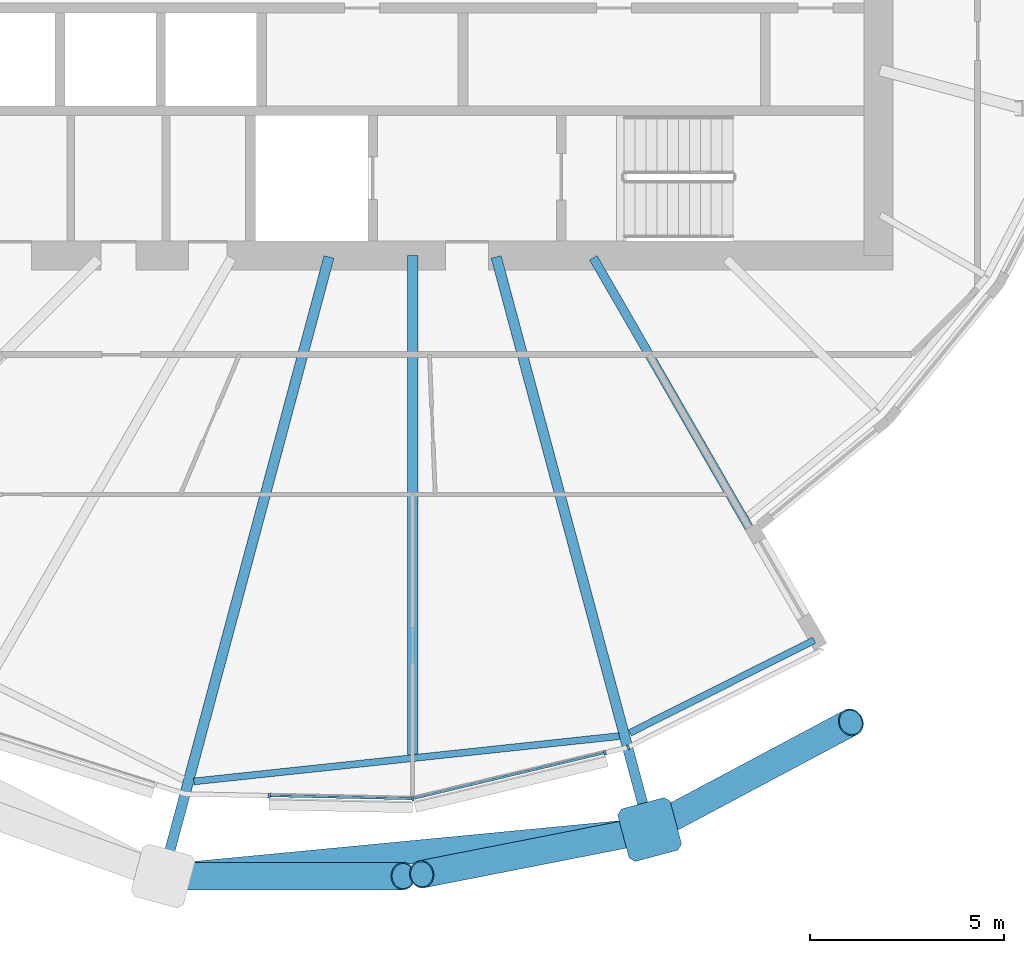
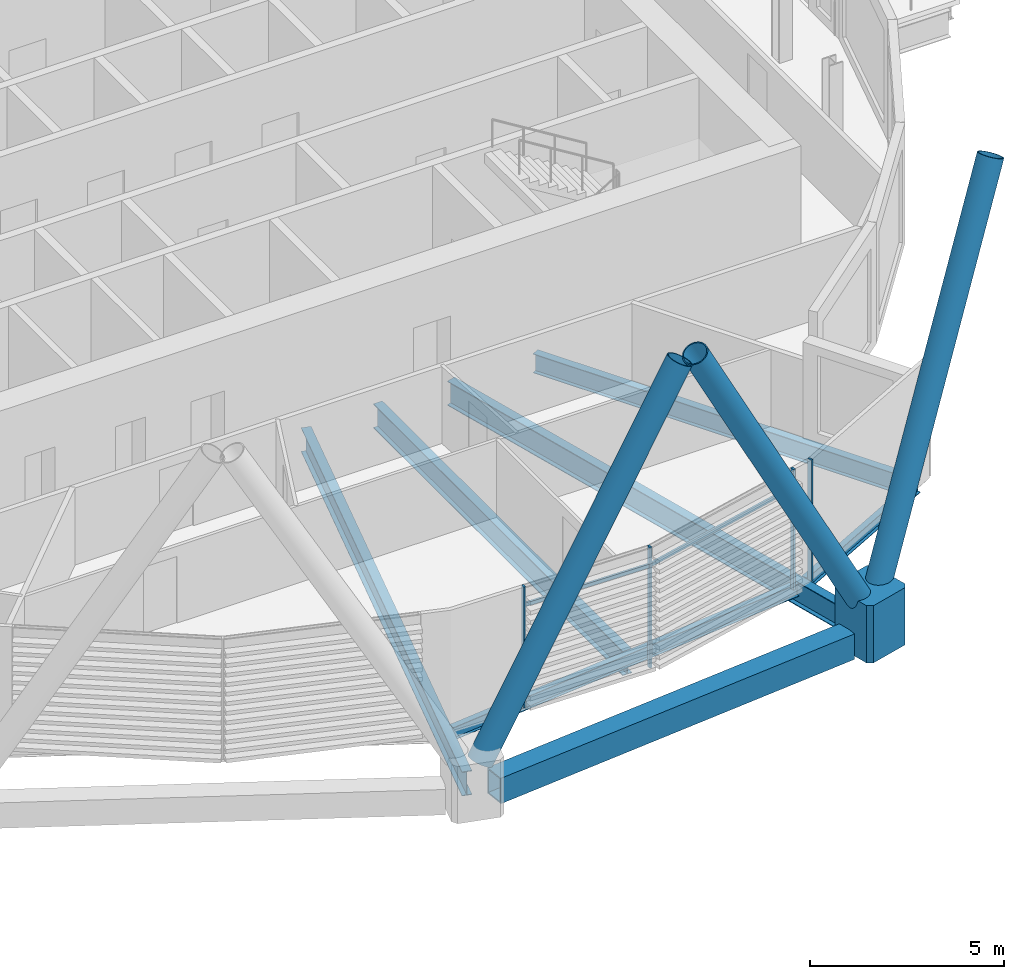
# One storey, part 15 of 38: 10 members, 7 beams, 1 element without a shape of its own.
"""IFC4 building model written with IfcOpenShell, lengths in metres."""

from ifc_helpers import new_model, si_unit, direction, frame, origin, origin_2d, place, context, subcontext, project, spatial, polyline, rectangle, hollow_rectangle, hollow_circle, i_section, outline, extrude, material, material_profile, profile_set, type_object, element, aggregate, save


model = new_model("IFC4")

# Units and contexts
model_context = context("Model", 3, precision=1e-05, world=origin(), true_north=direction((0.0, 1.0)))
body_context = subcontext(model_context, "Body", "Model", "MODEL_VIEW")
ifc_project = project(units=[si_unit("LENGTHUNIT", "METRE"), si_unit("AREAUNIT", "SQUARE_METRE"), si_unit("VOLUMEUNIT", "CUBIC_METRE"), si_unit("PLANEANGLEUNIT", "RADIAN"), si_unit("MASSUNIT", "GRAM", prefix="KILO")], contexts=[model_context])

# Site, building, storey
site_placement = place(None, origin())
site = spatial("IfcSite", under=ifc_project, at=site_placement, CompositionType="ELEMENT")
building_placement = place(site_placement, origin())
building = spatial("IfcBuilding", under=site, at=building_placement, Name="Rimbun Link Towers", CompositionType="ELEMENT")
storey_placement = place(building_placement, frame((0.0, 0.0, 104.39990234375)))
storey = spatial("IfcBuildingStorey", under=building, at=storey_placement, Name="L25", CompositionType="ELEMENT", Elevation=104.39990234375)

# Curtain wall, members
ifc_material_1 = material(Name="Aluminium 6063-T6 and low-iron glass", Category="aluminium")
curtain_wall_type = type_object("IfcCurtainWallType", Name="CW1-Z2 unitised vision wall (zone 2)", PredefinedType="NOTDEFINED", material=ifc_material_1)
curtain_wall_placement = place(storey_placement, origin())
curtain_wall = element("IfcCurtainWall", 1, at=curtain_wall_placement, inside=storey, type_object=curtain_wall_type, Name="CW1 L25 T2", PredefinedType="NOTDEFINED")
ifc_material_2 = material(Name="Aluminium 6063-T6", Category="aluminium")
ifc_material_profile_1 = material_profile(ifc_material_2, rectangle(XDim=0.1201171875, YDim=0.06005859375, at=origin_2d()), Name="MULLION 60X120")
ifc_profile_set_1 = profile_set([ifc_material_profile_1], Name="Aluminium 6063-T6")
member_type_1 = type_object("IfcMemberType", Name="CW1 mullion 60X120", PredefinedType="MULLION", material=ifc_profile_set_1)
member_1_placement = place(storey_placement, frame((31.75634765625, -21.9892578125, 0.0), z_axis=(0.0, 0.0, 1.0), x_axis=(0.106632106355, -0.994298543645, 0.0)))
member_1 = element("IfcMember", 2, at=member_1_placement, type_object=member_type_1, Name="CW1 mullion", PredefinedType="MULLION", context=body_context, shape_type="SweptSolid", body=[
    extrude(rectangle(XDim=0.1201171875, YDim=0.06005859375, at=origin_2d()), origin(), (0.0, 0.0, 1.0), 3.800048828125),
])
member_2_placement = place(storey_placement, frame((28.05517578125, -21.911865234375, 0.0), z_axis=(0.0, 0.0, 1.0), x_axis=(-0.021063270517, -0.999778144708, 0.0)))
member_2 = element("IfcMember", 3, at=member_2_placement, type_object=member_type_1, Name="CW1 mullion", PredefinedType="MULLION", context=body_context, shape_type="SweptSolid", body=[
    extrude(rectangle(XDim=0.1201171875, YDim=0.06005859375, at=origin_2d()), origin(), (0.0, 0.0, 1.0), 3.800048828125),
])
member_3_placement = place(storey_placement, frame((36.70263671875, -20.806884765625, 0.0), z_axis=(0.0, 0.0, 1.0), x_axis=(0.232585526726, -0.972575947038, 0.0)))
member_3 = element("IfcMember", 4, at=member_3_placement, type_object=member_type_1, Name="CW1 mullion", PredefinedType="MULLION", context=body_context, shape_type="SweptSolid", body=[
    extrude(rectangle(XDim=0.1201171875, YDim=0.06005859375, at=origin_2d()), origin(), (0.0, 0.0, 1.0), 3.800048828125),
])
member_4_placement = place(storey_placement, frame((37.299072265625, -20.66259765625, 0.0), z_axis=(0.0, 0.0, 1.0), x_axis=(0.448789312905, -0.893637595797, 0.0)))
member_4 = element("IfcMember", 5, at=member_4_placement, type_object=member_type_1, Name="CW1 mullion", PredefinedType="MULLION", context=body_context, shape_type="SweptSolid", body=[
    extrude(rectangle(XDim=0.1201171875, YDim=0.06005859375, at=origin_2d()), origin(), (0.0, 0.0, 1.0), 3.800048828125),
])
ifc_material_3 = material(Name="Aluminium 6063-T6", Category="aluminium")
ifc_material_profile_2 = material_profile(ifc_material_3, rectangle(XDim=0.06005859375, YDim=0.1201171875, at=origin_2d()), Name="TRANSOM 60X120")
ifc_profile_set_2 = profile_set([ifc_material_profile_2], Name="Aluminium 6063-T6")
member_type_2 = type_object("IfcMemberType", Name="CW1 transom 60X120", PredefinedType="USERDEFINED", material=ifc_profile_set_2)
member_5_placement = place(storey_placement, frame((31.71875, -21.987060546875, 3.2001953125), z_axis=(-0.999777513645, 0.021093202935, 0.0), x_axis=(-0.021093202935, -0.999777513645, 0.0)))
member_5 = element("IfcMember", 6, at=member_5_placement, type_object=member_type_2, Name="CW1 transom", ObjectType="TRANSOM", PredefinedType="USERDEFINED", context=body_context, shape_type="SweptSolid", body=[
    extrude(rectangle(XDim=0.06005859375, YDim=0.1201171875, at=origin_2d()), origin(), (0.0, 0.0, 1.0), 3.63427734375),
])
member_6_placement = place(storey_placement, frame((36.6728515625, -20.81201171875, 3.2001953125), z_axis=(-0.972578652399, -0.232574213741, 0.0), x_axis=(0.232574213741, -0.972578652399, 0.0)))
member_6 = element("IfcMember", 7, at=member_6_placement, type_object=member_type_2, Name="CW1 transom", ObjectType="TRANSOM", PredefinedType="USERDEFINED", context=body_context, shape_type="SweptSolid", body=[
    extrude(rectangle(XDim=0.06005859375, YDim=0.1201171875, at=origin_2d()), origin(), (0.0, 0.0, 1.0), 5.017822265625),
])
aggregate(curtain_wall, [member_1, member_2, member_3, member_4, member_5, member_6])

# Members
ifc_material_4 = material(Name="Steel S460NH", Category="steel")
ifc_material_profile_3 = material_profile(ifc_material_4, hollow_circle(Radius=0.355712890625, WallThickness=0.031982421875, at=origin_2d()), Name="Diagrid diagonal CHS 711x32")
ifc_profile_set_3 = profile_set([ifc_material_profile_3], Name="Steel S460NH")
member_type_3 = type_object("IfcMemberType", Name="Diagrid diagonal CHS 711x32", PredefinedType="BRACE", material=ifc_profile_set_3)
member_7_placement = place(storey_placement, frame((25.570068359375, -23.97998046875, 0.435791015625), z_axis=(0.491007209953, -2.0200239e-05, 0.871155508142), x_axis=(4.1140412e-05, 0.999999999154, 0.0)))
element("IfcMember", 8, at=member_7_placement, inside=storey, type_object=member_type_3, Name="Diagrid diagonal T2 L25-L28 14b", PredefinedType="BRACE", context=body_context, shape_type="SweptSolid", body=[
    extrude(hollow_circle(Radius=0.355712890625, WallThickness=0.031982421875, at=origin_2d()), origin(), (0.0, 0.0, 1.0), 12.0859375),
])
member_8_placement = place(storey_placement, frame((37.619384765625, -22.828369140625, 0.43896484375), z_axis=(-0.470037941025, -0.092243774803, 0.87781286161), x_axis=(0.192574227905, -0.981282409272, 0.0)))
element("IfcMember", 9, at=member_8_placement, inside=storey, type_object=member_type_3, Name="Diagrid diagonal T2 L25-L28 16a", PredefinedType="BRACE", context=body_context, shape_type="SweptSolid", body=[
    extrude(hollow_circle(Radius=0.355712890625, WallThickness=0.031982421875, at=origin_2d()), origin(), (0.0, 0.0, 1.0), 11.98681640625),
])
member_9_placement = place(storey_placement, frame((38.06298828125, -22.67138671875, 0.44091796875), z_axis=(0.416807853406, 0.222080658162, 0.881448463955), x_axis=(-0.470230700253, 0.88254353351, 0.0)))
element("IfcMember", 10, at=member_9_placement, inside=storey, type_object=member_type_3, Name="Diagrid diagonal T2 L25-L28 16b", PredefinedType="BRACE", context=body_context, shape_type="SweptSolid", body=[
    extrude(hollow_circle(Radius=0.355712890625, WallThickness=0.031982421875, at=origin_2d()), origin(), (0.0, 0.0, 1.0), 11.933349609375),
])
ifc_material_5 = material(Name="Cast steel G20Mn5+QT, Rp0.2 300 MPa", Category="steel")
ifc_material_profile_4 = material_profile(ifc_material_5, outline(polyline([(0.699951171875, -0.570068359375), (0.699951171875, 0.570068359375), (0.570068359375, 0.699951171875), (-0.570068359375, 0.699951171875), (-0.699951171875, 0.570068359375), (-0.699951171875, -0.570068359375), (-0.570068359375, -0.699951171875), (0.570068359375, -0.699951171875), (0.699951171875, -0.570068359375)])), Name="NODE 1400x1400")
ifc_profile_set_4 = profile_set([ifc_material_profile_4], Name="Cast steel G20Mn5+QT, Rp0.2 300 MPa")
member_type_4 = type_object("IfcMemberType", Name="Diagrid node cast 1400", PredefinedType="USERDEFINED", material=ifc_profile_set_4)
member_10_placement = place(storey_placement, frame((37.8544921875, -22.7822265625, -0.89990234375), z_axis=(0.0, 0.0, 1.0), x_axis=(0.258819045103, -0.965925826289, 0.0)))
element("IfcMember", 11, at=member_10_placement, inside=storey, type_object=member_type_4, Name="Diagrid node L25 16", ObjectType="Diagrid node", PredefinedType="USERDEFINED", context=body_context, shape_type="SweptSolid", body=[
    extrude(outline(polyline([(0.699951171875, -0.570068359375), (0.699951171875, 0.570068359375), (0.570068359375, 0.699951171875), (-0.570068359375, 0.699951171875), (-0.699951171875, 0.570068359375), (-0.699951171875, -0.570068359375), (-0.570068359375, -0.699951171875), (0.570068359375, -0.699951171875), (0.699951171875, -0.570068359375)])), origin(), (0.0, 0.0, 1.0), 1.800048828125),
])

# Beams
ifc_material_6 = material(Name="Steel S355J2", Category="steel")
ifc_material_profile_5 = material_profile(ifc_material_6, hollow_rectangle(XDim=0.60009765625, YDim=0.800048828125, WallThickness=0.0400390625, at=origin_2d()), Name="Exoskeleton ring girder BOX 600x800x40")
ifc_profile_set_5 = profile_set([ifc_material_profile_5], Name="Steel S355J2")
beam_type_1 = type_object("IfcBeamType", Name="Exoskeleton ring girder BOX 600x800x40", PredefinedType="BEAM", material=ifc_profile_set_5)
beam_1_placement = place(storey_placement, frame((26.021484375, -23.913330078125, -0.559814453125), z_axis=(0.995462850083, 0.095151006848, 0.0), x_axis=(-0.095151006848, 0.995462850083, 0.0)))
element("IfcBeam", 12, at=beam_1_placement, inside=storey, type_object=beam_type_1, Name="Exoskeleton ring girder L25 07", PredefinedType="BEAM", context=body_context, shape_type="SweptSolid", body=[
    extrude(hollow_rectangle(XDim=0.60009765625, YDim=0.800048828125, WallThickness=0.0400390625, at=origin_2d()), origin(), (0.0, 0.0, 1.0), 11.18701171875),
])
ifc_material_7 = material(Name="Steel S355J2", Category="steel")
ifc_material_profile_6 = material_profile(ifc_material_7, i_section(OverallWidth=0.177978515625, OverallDepth=0.406494140625, WebThickness=0.0078125, FlangeThickness=0.0126953125, at=origin_2d()), Name="UB 406x178x60")
ifc_profile_set_6 = profile_set([ifc_material_profile_6], Name="Steel S355J2")
beam_type_2 = type_object("IfcBeamType", Name="UB 406x178x60", PredefinedType="BEAM", material=ifc_profile_set_6)
beam_2_placement = place(storey_placement, frame((26.11669921875, -21.54248046875, -0.363037109375), z_axis=(0.994384696167, 0.105825686997, 0.0), x_axis=(-0.105825686997, 0.994384696167, 0.0)))
element("IfcBeam", 13, at=beam_2_placement, inside=storey, type_object=beam_type_2, Name="Edge beam T2 L25 14-16", PredefinedType="BEAM", context=body_context, shape_type="SweptSolid", body=[
    extrude(i_section(OverallWidth=0.177978515625, OverallDepth=0.406494140625, WebThickness=0.0078125, FlangeThickness=0.0126953125, at=origin_2d()), origin(), (0.0, 0.0, 1.0), 11.015869140625),
])
beam_3_placement = place(storey_placement, frame((37.34521484375, -20.29248046875, -0.363037109375), z_axis=(0.893413109003, 0.44923603669, 0.0), x_axis=(-0.44923603669, 0.893413109003, 0.0)))
element("IfcBeam", 14, at=beam_3_placement, inside=storey, type_object=beam_type_2, Name="Edge beam T2 L25 16", PredefinedType="BEAM", context=body_context, shape_type="SweptSolid", body=[
    extrude(i_section(OverallWidth=0.177978515625, OverallDepth=0.406494140625, WebThickness=0.0078125, FlangeThickness=0.0126953125, at=origin_2d()), origin(), (0.0, 0.0, 1.0), 5.30859375),
])
ifc_material_8 = material(Name="Steel S355J2", Category="steel")
ifc_material_profile_7 = material_profile(ifc_material_8, i_section(OverallWidth=0.2275390625, OverallDepth=0.6025390625, WebThickness=0.010498046875, FlangeThickness=0.014892578125, at=origin_2d()), Name="UB 610x229x101")
ifc_profile_set_7 = profile_set([ifc_material_profile_7], Name="Steel S355J2")
beam_type_3 = type_object("IfcBeamType", Name="UB 610x229x101", PredefinedType="BEAM", material=ifc_profile_set_7)
beam_4_placement = place(storey_placement, frame((36.402099609375, -8.057861328125, -0.461181640625), z_axis=(0.500002155527, -0.866024159287, 0.0), x_axis=(0.866024159287, 0.500002155527, 0.0)))
element("IfcBeam", 15, at=beam_4_placement, inside=storey, type_object=beam_type_3, Name="Radial beam T2 L25 17", PredefinedType="BEAM", context=body_context, shape_type="SweptSolid", body=[
    extrude(i_section(OverallWidth=0.2275390625, OverallDepth=0.6025390625, WebThickness=0.010498046875, FlangeThickness=0.014892578125, at=origin_2d()), origin(), (0.0, 0.0, 1.0), 11.283203125),
])
ifc_material_9 = material(Name="Steel S355J2", Category="steel")
ifc_material_profile_8 = material_profile(ifc_material_9, i_section(OverallWidth=0.2666015625, OverallDepth=0.76220703125, WebThickness=0.014404296875, FlangeThickness=0.021484375, at=origin_2d()), Name="UB 762x267x173")
ifc_profile_set_8 = profile_set([ifc_material_profile_8], Name="Steel S355J2")
beam_type_4 = type_object("IfcBeamType", Name="UB 762x267x173", PredefinedType="BEAM", material=ifc_profile_set_8)
beam_5_placement = place(storey_placement, frame((29.596923828125, -8.035400390625, -0.541015625), z_axis=(-0.25881588084, -0.965926674145, 0.0), x_axis=(0.965926674145, -0.25881588084, 0.0)))
element("IfcBeam", 16, at=beam_5_placement, inside=storey, type_object=beam_type_4, Name="Radial beam T2 L25 14", PredefinedType="BEAM", context=body_context, shape_type="SweptSolid", body=[
    extrude(i_section(OverallWidth=0.2666015625, OverallDepth=0.76220703125, WebThickness=0.014404296875, FlangeThickness=0.021484375, at=origin_2d()), origin(), (0.0, 0.0, 1.0), 16.0068359375),
])
beam_6_placement = place(storey_placement, frame((31.75, -8.0009765625, -0.541015625), z_axis=(0.0, -1.0, 0.0), x_axis=(1.0, 0.0, 0.0)))
element("IfcBeam", 17, at=beam_6_placement, inside=storey, type_object=beam_type_4, Name="Radial beam T2 L25 15", PredefinedType="BEAM", context=body_context, shape_type="SweptSolid", body=[
    extrude(i_section(OverallWidth=0.2666015625, OverallDepth=0.76220703125, WebThickness=0.014404296875, FlangeThickness=0.021484375, at=origin_2d()), origin(), (0.0, 0.0, 1.0), 12.8515625),
])
beam_7_placement = place(storey_placement, frame((33.903076171875, -8.035400390625, -0.541015625), z_axis=(0.258820100687, -0.965925543445, 0.0), x_axis=(0.965925543445, 0.258820100687, 0.0)))
element("IfcBeam", 18, at=beam_7_placement, inside=storey, type_object=beam_type_4, Name="Radial beam T2 L25 16", PredefinedType="BEAM", context=body_context, shape_type="SweptSolid", body=[
    extrude(i_section(OverallWidth=0.2666015625, OverallDepth=0.76220703125, WebThickness=0.014404296875, FlangeThickness=0.021484375, at=origin_2d()), origin(), (0.0, 0.0, 1.0), 14.76708984375),
])

save(model, "model.ifc")
